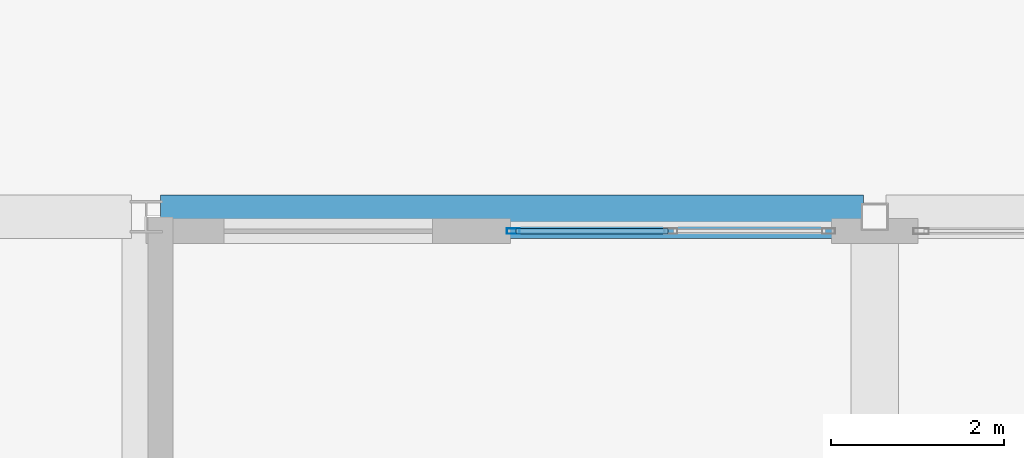
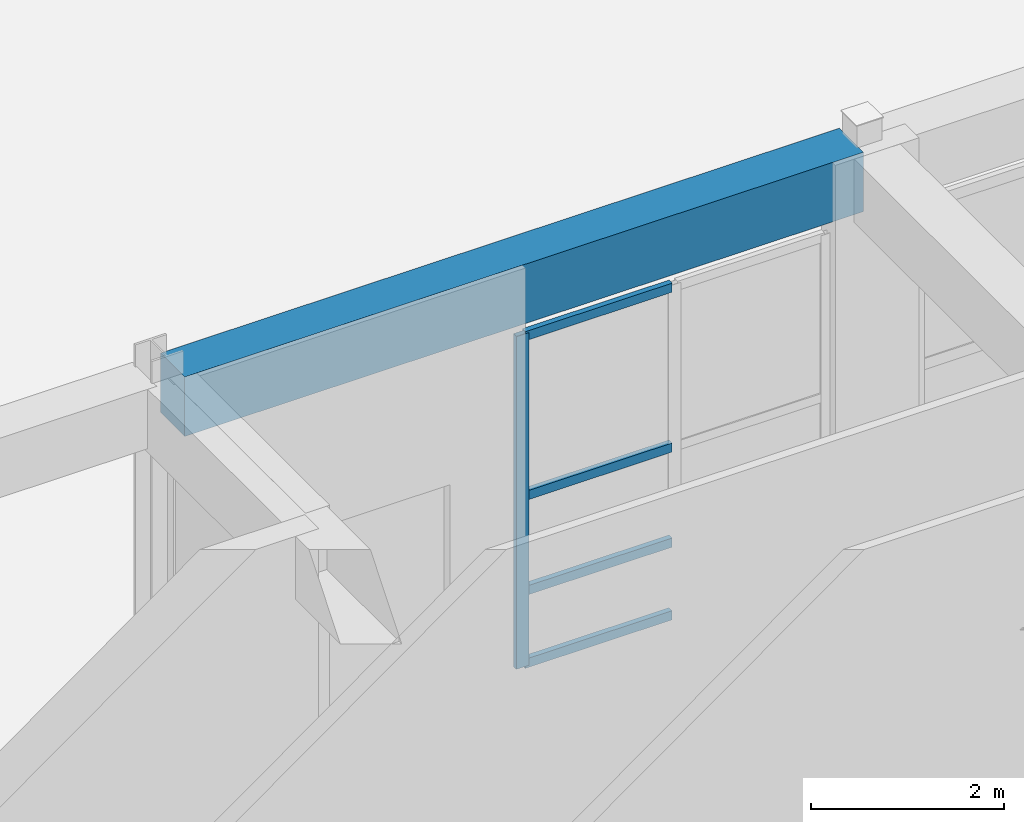
# One storey, part 26 of 148: 5 members, 1 beam, 1 element without a shape of its own.
"""IFC4 building model written with IfcOpenShell, lengths in metres."""

import ifcopenshell
import ifcopenshell.guid

model = None  # the IFC model being written
_history = None  # IfcOwnerHistory: only IFC2X3 demands one
_inside = {}  # id of a spatial element -> (the spatial element, [elements in it])
_under = {}  # id of a project, library or spatial element -> (it, [spatial elements below it])
_declared = {}  # id of a project -> (the project, [libraries it declares])
_typed = {}  # id of a type object -> (the type object, [elements of that type])
_made_of = {}  # id of a material, layer set ... -> (it, [elements and type objects made of it])


def new_model(schema):
    """Start an empty IFC model of exactly this schema.

    Asked for "IFC4X3", IfcOpenShell would pick the latest addendum, in which some entities
    have other attributes; the version numbers below select the first issue.
    IFC2X3 requires an IfcOwnerHistory on every rooted entity: one is made here for all.
    """
    global model, _history
    if schema == "IFC4X3":
        model = ifcopenshell.file(schema_version=(4, 3, 0, 0))
    else:
        model = ifcopenshell.file(schema=schema)
    _inside.clear()
    _under.clear()
    _declared.clear()
    _typed.clear()
    _made_of.clear()
    _history = None
    if model.schema == "IFC2X3":
        org = make("IfcOrganization", Name="unknown")
        user = make(
            "IfcPersonAndOrganization",
            ThePerson=make("IfcPerson", FamilyName="unknown"),
            TheOrganization=org,
        )
        app = make(
            "IfcApplication",
            ApplicationDeveloper=org,
            Version="unknown",
            ApplicationFullName="unknown",
            ApplicationIdentifier="unknown",
        )
        _history = make(
            "IfcOwnerHistory",
            OwningUser=user,
            OwningApplication=app,
            ChangeAction="ADDED",
            CreationDate=0,
        )
    return model


def make(cls, **values):
    """One entity of the class cls with the attributes given. An attribute that is None is left unset."""
    return model.create_entity(
        cls, **{name: value for name, value in values.items() if value is not None}
    )


def rooted(cls, **values):
    """An entity with a GlobalId (a new one), such as an element, a storey or a relation."""
    return make(cls, GlobalId=ifcopenshell.guid.new(), OwnerHistory=_history, **values)


def si_unit(unit_type, name, prefix=None):
    """IfcSIUnit, for example si_unit("LENGTHUNIT", "METRE", prefix="MILLI")."""
    return make("IfcSIUnit", UnitType=unit_type, Prefix=prefix, Name=name)


def assignment(units):
    """IfcUnitAssignment: the units of a project."""
    return None if units is None else make("IfcUnitAssignment", Units=units)


def point(xyz):
    """IfcCartesianPoint."""
    return None if xyz is None else make("IfcCartesianPoint", Coordinates=xyz)


def direction(xyz):
    """IfcDirection."""
    return None if xyz is None else make("IfcDirection", DirectionRatios=xyz)


def frame(location, z_axis=None, x_axis=None):
    """IfcAxis2Placement3D, a coordinate frame: its origin and axes. An axis left out is left unset."""
    return make(
        "IfcAxis2Placement3D",
        Location=point(location),
        Axis=direction(z_axis),
        RefDirection=direction(x_axis),
    )


def frame_2d(location, x_axis=None):
    """IfcAxis2Placement2D, a coordinate frame in the plane: its origin and x axis."""
    return make(
        "IfcAxis2Placement2D", Location=point(location), RefDirection=direction(x_axis)
    )


def origin():
    """The frame at (0, 0, 0) with its axes left unset."""
    return frame((0.0, 0.0, 0.0))


def origin_2d():
    """The frame at (0, 0) in the plane with its x axis left unset."""
    return frame_2d((0.0, 0.0))


def place(relative_to, where):
    """IfcLocalPlacement: puts the frame where relative to a parent placement (None: the world)."""
    return make(
        "IfcLocalPlacement", PlacementRelTo=relative_to, RelativePlacement=where
    )


def context(
    kind, dimensions, precision=None, world=None, true_north=None, identifier=None
):
    """IfcGeometricRepresentationContext, for example the 3D "Model" context."""
    return make(
        "IfcGeometricRepresentationContext",
        ContextIdentifier=identifier,
        ContextType=kind,
        CoordinateSpaceDimension=dimensions,
        Precision=precision,
        WorldCoordinateSystem=world,
        TrueNorth=true_north,
    )


def subcontext(parent, identifier, kind, view, scale=None):
    """IfcGeometricRepresentationSubContext, for example "Body" below "Model"."""
    return make(
        "IfcGeometricRepresentationSubContext",
        ContextIdentifier=identifier,
        ContextType=kind,
        ParentContext=parent,
        TargetScale=scale,
        TargetView=view,
    )


def project(units=None, contexts=None):
    """IfcProject with its units and contexts."""
    return rooted(
        "IfcProject",
        Name="project",
        RepresentationContexts=contexts,
        UnitsInContext=assignment(units),
    )


def spatial(cls, under=None, at=None, **own):
    """A site, building, storey or space (cls), placed at a placement, below another one or the project."""
    s = rooted(cls, ObjectPlacement=at, **own)
    if under is not None:
        _under.setdefault(under.id(), (under, []))[1].append(s)
    return s


def profile(cls, at=None, kind="AREA", **sizes):
    """A parametric profile (cls). Its sizes go by their IFC names, for example OverallWidth=200.0."""
    return make(cls, ProfileType=kind, Position=at, **sizes)


def rectangle(**sizes):
    """IfcRectangleProfileDef."""
    return profile("IfcRectangleProfileDef", **sizes)


def hollow_rectangle(**sizes):
    """IfcRectangleHollowProfileDef."""
    return profile("IfcRectangleHollowProfileDef", **sizes)


def extrude(swept, where, along, depth):
    """IfcExtrudedAreaSolid: the profile swept, set in the frame where, extruded along a direction by depth."""
    return make(
        "IfcExtrudedAreaSolid",
        SweptArea=swept,
        Position=where,
        ExtrudedDirection=direction(along),
        Depth=depth,
    )


def shape(context_of_items, identifier, shape_type, items):
    """IfcShapeRepresentation: the items that make up one representation, for example the "Body"."""
    return make(
        "IfcShapeRepresentation",
        ContextOfItems=context_of_items,
        RepresentationIdentifier=identifier,
        RepresentationType=shape_type,
        Items=items,
    )


def material(Name=None, Category=None):
    """IfcMaterial."""
    return make("IfcMaterial", Name=Name, Category=Category)


def layer(
    of_material, thickness, ventilated=None, Name=None, Category=None, Priority=None
):
    """IfcMaterialLayer: one layer of a wall or slab, of a material (None: an air gap)."""
    return make(
        "IfcMaterialLayer",
        Material=of_material,
        LayerThickness=thickness,
        IsVentilated=ventilated,
        Name=Name,
        Category=Category,
        Priority=Priority,
    )


def layer_set(layers, Name=None):
    """IfcMaterialLayerSet."""
    return make("IfcMaterialLayerSet", MaterialLayers=layers, LayerSetName=Name)


def material_profile(
    of_material, cross_section, Name=None, Category=None, Priority=None
):
    """IfcMaterialProfile: a cross section and its material."""
    return make(
        "IfcMaterialProfile",
        Name=Name,
        Material=of_material,
        Profile=cross_section,
        Priority=Priority,
        Category=Category,
    )


def profile_set(profiles, Name=None, composite=None):
    """IfcMaterialProfileSet."""
    return make(
        "IfcMaterialProfileSet",
        Name=Name,
        MaterialProfiles=profiles,
        CompositeProfile=composite,
    )


def made_of(thing, what):
    """Note that an element or type object is made of a material, layer set ...; save() writes the relation."""
    if what is not None:
        _made_of.setdefault(what.id(), (what, []))[1].append(thing)
    return thing


def type_object(cls, material=None, **own):
    """A type object (cls), such as IfcWallType, which elements share."""
    return made_of(rooted(cls, **own), material)


def element(
    cls,
    number,
    at=None,
    inside=None,
    cuts=None,
    type_object=None,
    material=None,
    context=None,
    identifier="Body",
    shape_type=None,
    held_by="IfcProductDefinitionShape",
    body=None,
    shapes=None,
    **own,
):
    """One element of the class cls, such as IfcWall. Its Tag is "e" and its number.

    at: its placement. inside: the storey or other place that contains it. cuts: it is an
    opening in that element (IfcRelVoidsElement). A single representation is given by context,
    identifier, shape_type and body (its items); several are given by shapes. held_by: the class
    of the entity that holds the representations. save() writes the other relations.
    """
    e = rooted(cls, Tag="e%d" % number, ObjectPlacement=at, **own)
    if body is not None:
        shapes = [shape(context, identifier, shape_type, body)]
    if shapes is not None:
        e.Representation = make(held_by, Representations=shapes)
    if inside is not None:
        _inside.setdefault(inside.id(), (inside, []))[1].append(e)
    if cuts is not None:
        rooted(
            "IfcRelVoidsElement", RelatingBuildingElement=cuts, RelatedOpeningElement=e
        )
    if type_object is not None:
        _typed.setdefault(type_object.id(), (type_object, []))[1].append(e)
    return made_of(e, material)


def aggregate(whole, parts):
    """IfcRelAggregates: a whole, such as a stair, and the parts it consists of."""
    return rooted("IfcRelAggregates", RelatingObject=whole, RelatedObjects=parts)


def save(model, path):
    """Write the relations noted so far, then the file.

    IfcRelAggregates (storeys below a building ...), IfcRelContainedInSpatialStructure (elements
    in a storey), IfcRelDefinesByType, IfcRelAssociatesMaterial and IfcRelDeclares: one each for
    every whole, place, type object, material and project.
    """
    for whole, parts in _under.values():
        aggregate(whole, parts)
    for where, things in _inside.values():
        rooted(
            "IfcRelContainedInSpatialStructure",
            RelatedElements=things,
            RelatingStructure=where,
        )
    for kind, things in _typed.values():
        rooted("IfcRelDefinesByType", RelatedObjects=things, RelatingType=kind)
    for what, things in _made_of.values():
        rooted("IfcRelAssociatesMaterial", RelatedObjects=things, RelatingMaterial=what)
    for by, libraries in _declared.values():
        rooted("IfcRelDeclares", RelatingContext=by, RelatedDefinitions=libraries)
    model.write(path)


model = new_model("IFC4")

# Units and contexts
model_context = context("Model", 3, precision=1e-05, world=origin(), true_north=direction((0.0, 1.0)))
body_context = subcontext(model_context, "Body", "Model", "MODEL_VIEW")
ifc_project = project(units=[si_unit("LENGTHUNIT", "METRE"), si_unit("AREAUNIT", "SQUARE_METRE"), si_unit("VOLUMEUNIT", "CUBIC_METRE"), si_unit("PLANEANGLEUNIT", "RADIAN"), si_unit("MASSUNIT", "GRAM", prefix="KILO")], contexts=[model_context])

# Site, building, storey
site_placement = place(None, origin())
site = spatial("IfcSite", under=ifc_project, at=site_placement, CompositionType="ELEMENT")
building_placement = place(site_placement, origin())
building = spatial("IfcBuilding", under=site, at=building_placement, Name="Quendrovan Civic Courthouse", CompositionType="ELEMENT")
storey_placement = place(building_placement, origin())
storey = spatial("IfcBuildingStorey", under=building, at=storey_placement, Name="L01", CompositionType="ELEMENT", Elevation=0.0)

# Beam
ifc_material_1 = material(Name="Concrete C40/50", Category="concrete")
ifc_material_profile_1 = material_profile(ifc_material_1, rectangle(XDim=0.5, YDim=0.75, at=origin_2d()), Name="RC-BM-500x750")
ifc_profile_set_1 = profile_set([ifc_material_profile_1], Name="Concrete C40/50")
beam_type = type_object("IfcBeamType", Name="BM-RC750", PredefinedType="SPANDREL", material=ifc_profile_set_1)
beam_placement = place(storey_placement, frame((58.967041015625, 15.60009765625, 4.7451171875), z_axis=(1.0, 0.0, 0.0), x_axis=(0.0, 1.0, 0.0)))
element("IfcBeam", 1, at=beam_placement, inside=storey, type_object=beam_type, Name="L01 Girder X0272", PredefinedType="SPANDREL", context=body_context, shape_type="SweptSolid", body=[
    extrude(rectangle(XDim=0.5, YDim=0.75, at=origin_2d()), origin(), (0.0, 0.0, 1.0), 8.10302734375),
])

# Curtain wall, members
ifc_material_2 = material(Name="Bronze anodised aluminium and low-E glass", Category="aluminium")
ifc_layer = layer(ifc_material_2, 0.179931640625, Name="Bronze anodised aluminium and low-E glass")
ifc_layer_set = layer_set([ifc_layer], Name="Bronze anodised aluminium and low-E glass")
curtain_wall_type = type_object("IfcCurtainWallType", Name="CW-U37x42", PredefinedType="USERDEFINED", material=ifc_layer_set)
curtain_wall_placement = place(storey_placement, origin())
curtain_wall = element("IfcCurtainWall", 2, at=curtain_wall_placement, inside=storey, type_object=curtain_wall_type, Name="L01 Unitised Hurricane Curtain Wall CW-009", ObjectType="UNITISED CURTAIN WALL", PredefinedType="USERDEFINED")
ifc_material_3 = material(Name="Bronze anodised aluminium", Category="aluminium")
ifc_material_profile_2 = material_profile(ifc_material_3, hollow_rectangle(XDim=0.06494140625, YDim=0.14990234375, WallThickness=0.00390625, at=origin_2d()), Name="CW-MULL-65x150")
ifc_profile_set_2 = profile_set([ifc_material_profile_2], Name="Bronze anodised aluminium")
member_type_1 = type_object("IfcMemberType", Name="CW-MULL-B", PredefinedType="MULLION", material=ifc_profile_set_2)
member_1_placement = place(storey_placement, frame((63.032470703125, 15.43505859375, 0.0), z_axis=(0.0, 0.0, 1.0), x_axis=(0.0, 1.0, 0.0)))
member_1 = element("IfcMember", 3, at=member_1_placement, type_object=member_type_1, Name="CW-009 mullion 1", PredefinedType="MULLION", context=body_context, shape_type="SweptSolid", body=[
    extrude(hollow_rectangle(XDim=0.06494140625, YDim=0.14990234375, WallThickness=0.00390625, at=origin_2d()), origin(), (0.0, 0.0, 1.0), 4.199951171875),
])
ifc_material_profile_3 = material_profile(ifc_material_3, hollow_rectangle(XDim=0.06494140625, YDim=0.114990234375, WallThickness=0.00390625, at=origin_2d()), Name="CW-TRAN-65x115")
ifc_profile_set_3 = profile_set([ifc_material_profile_3], Name="Bronze anodised aluminium")
member_type_2 = type_object("IfcMemberType", Name="CW-TRAN-B", PredefinedType="USERDEFINED", material=ifc_profile_set_3)
member_2_placement = place(storey_placement, frame((63.06494140625, 15.43505859375, 0.032470703125), z_axis=(1.0, 0.0, 0.0), x_axis=(0.0, 1.0, 0.0)))
member_2 = element("IfcMember", 4, at=member_2_placement, type_object=member_type_2, Name="CW-009 transom 1.1", ObjectType="TRANSOM", PredefinedType="USERDEFINED", context=body_context, shape_type="SweptSolid", body=[
    extrude(hollow_rectangle(XDim=0.06494140625, YDim=0.114990234375, WallThickness=0.00390625, at=origin_2d()), origin(), (0.0, 0.0, 1.0), 1.75244140625),
])
member_3_placement = place(storey_placement, frame((63.06494140625, 15.43505859375, 0.949951171875), z_axis=(1.0, 0.0, 0.0), x_axis=(0.0, 1.0, 0.0)))
member_3 = element("IfcMember", 5, at=member_3_placement, type_object=member_type_2, Name="CW-009 transom 1.2", ObjectType="TRANSOM", PredefinedType="USERDEFINED", context=body_context, shape_type="SweptSolid", body=[
    extrude(hollow_rectangle(XDim=0.06494140625, YDim=0.114990234375, WallThickness=0.00390625, at=origin_2d()), origin(), (0.0, 0.0, 1.0), 1.75244140625),
])
member_4_placement = place(storey_placement, frame((63.06494140625, 15.43505859375, 2.14990234375), z_axis=(1.0, 0.0, 0.0), x_axis=(0.0, 1.0, 0.0)))
member_4 = element("IfcMember", 6, at=member_4_placement, type_object=member_type_2, Name="CW-009 transom 1.3", ObjectType="TRANSOM", PredefinedType="USERDEFINED", context=body_context, shape_type="SweptSolid", body=[
    extrude(hollow_rectangle(XDim=0.06494140625, YDim=0.114990234375, WallThickness=0.00390625, at=origin_2d()), origin(), (0.0, 0.0, 1.0), 1.75244140625),
])
member_5_placement = place(storey_placement, frame((63.06494140625, 15.43505859375, 4.16748046875), z_axis=(1.0, 0.0, 0.0), x_axis=(0.0, 1.0, 0.0)))
member_5 = element("IfcMember", 7, at=member_5_placement, type_object=member_type_2, Name="CW-009 transom 1.4", ObjectType="TRANSOM", PredefinedType="USERDEFINED", context=body_context, shape_type="SweptSolid", body=[
    extrude(hollow_rectangle(XDim=0.06494140625, YDim=0.114990234375, WallThickness=0.00390625, at=origin_2d()), origin(), (0.0, 0.0, 1.0), 1.75244140625),
])
aggregate(curtain_wall, [member_1, member_2, member_3, member_4, member_5])

save(model, "model.ifc")
